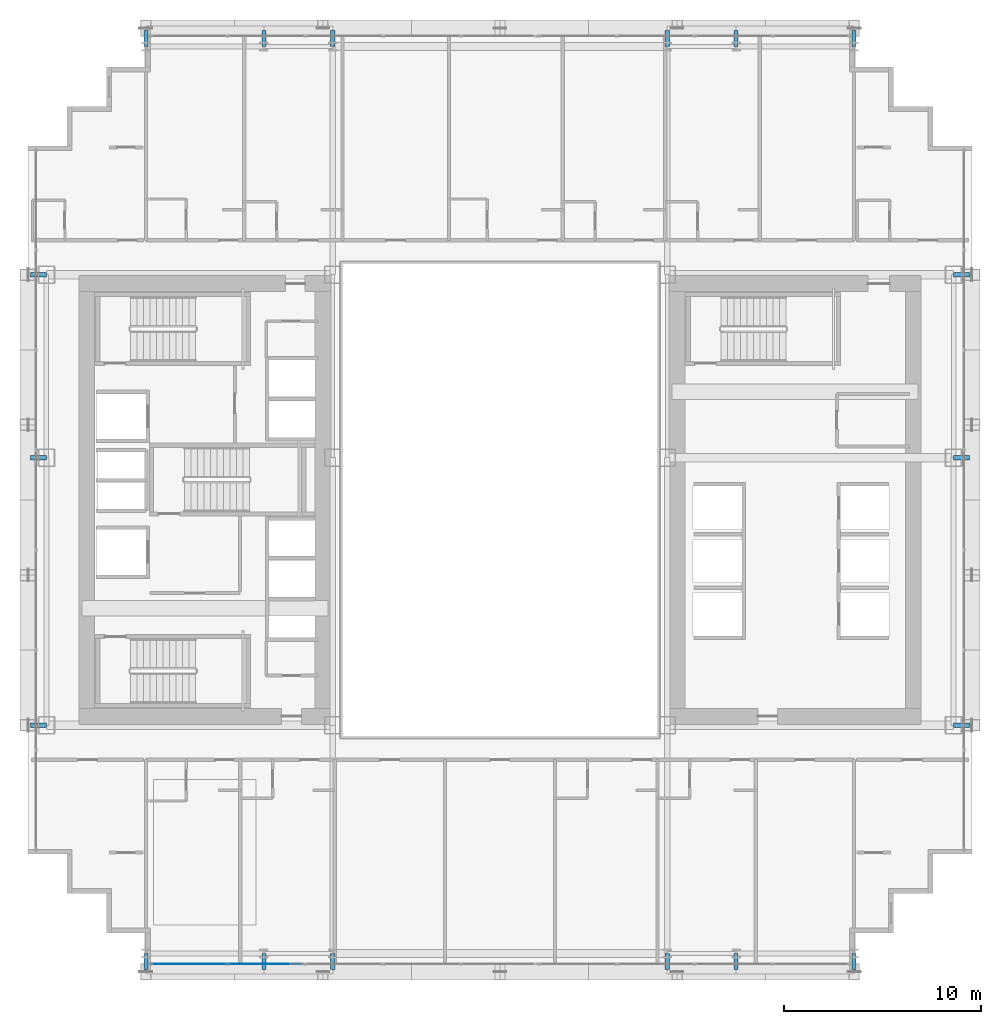
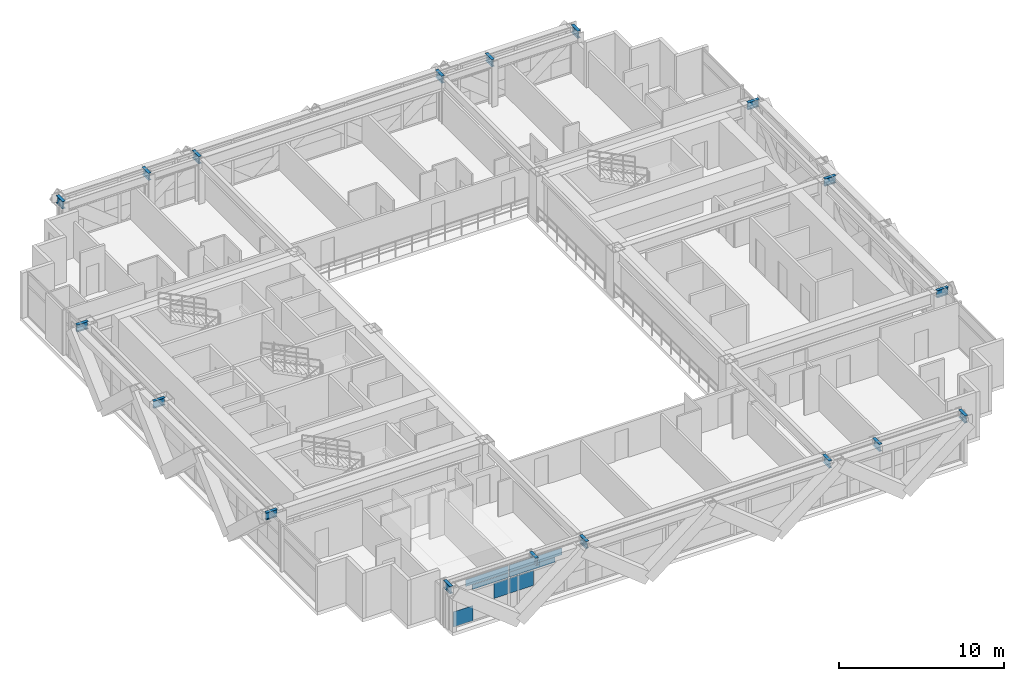
# One storey, part 23 of 38: 18 beams, 7 plates, 1 element without a shape of its own.
"""IFC4 building model written with IfcOpenShell, lengths in metres."""

from ifc_helpers import new_model, si_unit, direction, frame, origin, origin_2d, place, context, subcontext, project, spatial, rectangle, i_section, extrude, source, transform, mapped, material, layer, layer_set, material_profile, profile_set, type_object, element, aggregate, save


model = new_model("IFC4")

# Units and contexts
model_context = context("Model", 3, precision=1e-05, world=origin(), true_north=direction((0.0, 1.0)))
body_context = subcontext(model_context, "Body", "Model", "MODEL_VIEW")
ifc_project = project(units=[si_unit("LENGTHUNIT", "METRE"), si_unit("AREAUNIT", "SQUARE_METRE"), si_unit("VOLUMEUNIT", "CUBIC_METRE"), si_unit("PLANEANGLEUNIT", "RADIAN"), si_unit("MASSUNIT", "GRAM", prefix="KILO")], contexts=[model_context])

# Site, building, storey
site_placement = place(None, origin())
site = spatial("IfcSite", under=ifc_project, at=site_placement, CompositionType="ELEMENT")
building_placement = place(site_placement, origin())
building = spatial("IfcBuilding", under=site, at=building_placement, Name="Ocotamira Hotel", CompositionType="ELEMENT")
storey_placement = place(building_placement, frame((0.0, 0.0, 74.39990234375)))
storey = spatial("IfcBuildingStorey", under=building, at=storey_placement, Name="L18", CompositionType="ELEMENT", Elevation=74.39990234375)

# Beams
ifc_material_1 = material(Name="Steel ASTM A992 Grade 50", Category="steel")
ifc_material_profile = material_profile(ifc_material_1, i_section(OverallWidth=0.2099609375, OverallDepth=0.537109375, WebThickness=0.010986328125, FlangeThickness=0.017333984375, FilletRadius=0.012939453125, at=origin_2d()), Name="W21X68")
ifc_profile_set = profile_set([ifc_material_profile], Name="Steel ASTM A992 Grade 50")
beam_type = type_object("IfcBeamType", Name="BM-SEC-W21X68", PredefinedType="JOIST", material=ifc_profile_set)
shared_shape_1 = source(origin(), body_context, "Body", "SweptSolid", [
    extrude(i_section(OverallWidth=0.2099609375, OverallDepth=0.537109375, WebThickness=0.010986328125, FlangeThickness=0.017333984375, FilletRadius=0.012939453125, at=origin_2d()), origin(), (0.0, 0.0, 1.0), 0.800048828125),
])
for number, where, z_axis, x_axis, name in (
    (1, (14.0, 2.949951171875, 3.08154296875), (0.0, -1.0, 0.0), (1.0, 0.0, 0.0), "L18 South Edge Header X14"),
    (2, (14.0, 49.050048828125, 3.08154296875), (0.0, 1.0, 0.0), (-1.0, 0.0, 0.0), "L18 North Edge Header X14"),
    (3, (20.0, 2.949951171875, 3.08154296875), (0.0, -1.0, 0.0), (1.0, 0.0, 0.0), "L18 South Edge Header X20"),
    (4, (20.0, 49.050048828125, 3.08154296875), (0.0, 1.0, 0.0), (-1.0, 0.0, 0.0), "L18 North Edge Header X20"),
    (5, (23.5, 2.949951171875, 3.08154296875), (0.0, -1.0, 0.0), (1.0, 0.0, 0.0), "L18 South Edge Header X23.5"),
    (6, (23.5, 49.050048828125, 3.08154296875), (0.0, 1.0, 0.0), (-1.0, 0.0, 0.0), "L18 North Edge Header X23.5"),
    (7, (40.5, 2.949951171875, 3.08154296875), (0.0, -1.0, 0.0), (1.0, 0.0, 0.0), "L18 South Edge Header X40.5"),
    (8, (40.5, 49.050048828125, 3.08154296875), (0.0, 1.0, 0.0), (-1.0, 0.0, 0.0), "L18 North Edge Header X40.5"),
    (9, (44.0, 2.949951171875, 3.08154296875), (0.0, -1.0, 0.0), (1.0, 0.0, 0.0), "L18 South Edge Header X44"),
    (10, (44.0, 49.050048828125, 3.08154296875), (0.0, 1.0, 0.0), (-1.0, 0.0, 0.0), "L18 North Edge Header X44"),
    (11, (50.0, 2.949951171875, 3.08154296875), (0.0, -1.0, 0.0), (1.0, 0.0, 0.0), "L18 South Edge Header X50"),
    (12, (50.0, 49.050048828125, 3.08154296875), (0.0, 1.0, 0.0), (-1.0, 0.0, 0.0), "L18 North Edge Header X50"),
    (13, (8.949951171875, 14.550048828125, 3.08154296875), (-1.0, 0.0, 0.0), (0.0, -1.0, 0.0), "L18 West Edge Header Y14.55"),
    (14, (55.050048828125, 14.550048828125, 3.08154296875), (1.0, 0.0, 0.0), (0.0, 1.0, 0.0), "L18 East Edge Header Y14.55"),
    (15, (8.949951171875, 28.14990234375, 3.08154296875), (-1.0, 0.0, 0.0), (0.0, -1.0, 0.0), "L18 West Edge Header Y28.15"),
    (16, (55.050048828125, 28.14990234375, 3.08154296875), (1.0, 0.0, 0.0), (0.0, 1.0, 0.0), "L18 East Edge Header Y28.15"),
    (17, (8.949951171875, 37.449951171875, 3.08154296875), (-1.0, 0.0, 0.0), (0.0, -1.0, 0.0), "L18 West Edge Header Y37.45"),
    (18, (55.050048828125, 37.449951171875, 3.08154296875), (1.0, 0.0, 0.0), (0.0, 1.0, 0.0), "L18 East Edge Header Y37.45"),
):
    element("IfcBeam", number, at=place(storey_placement, frame(where, z_axis=z_axis, x_axis=x_axis)), inside=storey, type_object=beam_type, Name=name, PredefinedType="JOIST", context=body_context, shape_type="MappedRepresentation", body=[
        mapped(shared_shape_1, transform((0.0, 0.0, 0.0), scale=1.0)),
    ])

# Curtain wall, plates
ifc_material_2 = material(Name="Anodised pale-metal aluminium and solar glass", Category="aluminium")
ifc_layer_1 = layer(ifc_material_2, 0.179931640625)
ifc_layer_set_1 = layer_set([ifc_layer_1], Name="Anodised pale-metal aluminium and solar glass")
curtain_wall_type = type_object("IfcCurtainWallType", Name="CW-SYS2-Z1", PredefinedType="NOTDEFINED", material=ifc_layer_set_1)
curtain_wall_placement = place(storey_placement, origin())
curtain_wall = element("IfcCurtainWall", 19, at=curtain_wall_placement, inside=storey, type_object=curtain_wall_type, Name="L18 Curtain Wall CW-2 CW-L18-S1", PredefinedType="NOTDEFINED")
ifc_material_3 = material(Name="Double-silver low-E insulated solar glass", Category="glass")
ifc_layer_2 = layer(ifc_material_3, 0.031982421875)
ifc_layer_set_2 = layer_set([ifc_layer_2], Name="Double-silver low-E insulated solar glass")
plate_type = type_object("IfcPlateType", Name="CWP-VISION-32", PredefinedType="CURTAIN_PANEL", material=ifc_layer_set_2)
shared_shape_2 = source(origin(), body_context, "Body", "SweptSolid", [
    extrude(rectangle(XDim=2.9755859375, YDim=0.031982421875, at=origin_2d()), origin(), (0.0, 0.0, 1.0), 0.5107421875),
])
plate_1_placement = place(storey_placement, frame((16.627685546875, 2.419921875, 2.764404296875), z_axis=(0.0, 0.0, 1.0), x_axis=(1.0, 0.0, 0.0)))
plate_1 = element("IfcPlate", 20, at=plate_1_placement, type_object=plate_type, Name="CW-2 panel 1.2.1", PredefinedType="CURTAIN_PANEL", context=body_context, shape_type="MappedRepresentation", body=[
    mapped(shared_shape_2, transform((0.0, 0.0, 0.0), scale=1.0)),
])
shared_shape_3 = source(origin(), body_context, "Body", "SweptSolid", [
    extrude(rectangle(XDim=2.504638671875, YDim=0.031982421875, at=origin_2d()), origin(), (0.0, 0.0, 1.0), 0.345458984375),
])
plate_2_placement = place(storey_placement, frame((16.86328125, 2.419921875, 2.3876953125), z_axis=(0.0, 0.0, 1.0), x_axis=(1.0, 0.0, 0.0)))
plate_2 = element("IfcPlate", 21, at=plate_2_placement, type_object=plate_type, Name="CW-2 panel 1.2.2", PredefinedType="CURTAIN_PANEL", context=body_context, shape_type="MappedRepresentation", body=[
    mapped(shared_shape_3, transform((0.0, 0.0, 0.0), scale=1.0)),
])
shared_shape_4 = source(origin(), body_context, "Body", "SweptSolid", [
    extrude(rectangle(XDim=3.193603515625, YDim=0.031982421875, at=origin_2d()), origin(), (0.0, 0.0, 1.0), 0.376708984375),
])
plate_3_placement = place(storey_placement, frame((19.792236328125, 2.419921875, 2.3876953125), z_axis=(0.0, 0.0, 1.0), x_axis=(1.0, 0.0, 0.0)))
plate_3 = element("IfcPlate", 22, at=plate_3_placement, type_object=plate_type, Name="CW-2 panel 2.2.1", PredefinedType="CURTAIN_PANEL", context=body_context, shape_type="MappedRepresentation", body=[
    mapped(shared_shape_4, transform((0.0, 0.0, 0.0), scale=1.0)),
])
shared_shape_5 = source(origin(), body_context, "Body", "SweptSolid", [
    extrude(rectangle(XDim=3.664306640625, YDim=0.031982421875, at=origin_2d()), origin(), (0.0, 0.0, 1.0), 0.5107421875),
])
plate_4_placement = place(storey_placement, frame((20.027587890625, 2.419921875, 2.764404296875), z_axis=(0.0, 0.0, 1.0), x_axis=(1.0, 0.0, 0.0)))
plate_4 = element("IfcPlate", 23, at=plate_4_placement, type_object=plate_type, Name="CW-2 panel 2.2.2", PredefinedType="CURTAIN_PANEL", context=body_context, shape_type="MappedRepresentation", body=[
    mapped(shared_shape_5, transform((0.0, 0.0, 0.0), scale=1.0)),
])
shared_shape_6 = source(origin(), body_context, "Body", "SweptSolid", [
    extrude(rectangle(XDim=1.382568359375, YDim=0.031982421875, at=origin_2d()), origin(), (0.0, 0.0, 1.0), 1.118896484375),
])
plate_5_placement = place(storey_placement, frame((14.97119140625, 2.419921875, 0.0751953125), z_axis=(0.0, 0.0, 1.0), x_axis=(1.0, 0.0, 0.0)))
plate_5 = element("IfcPlate", 24, at=plate_5_placement, type_object=plate_type, Name="CW-2 panel 1.1.1", PredefinedType="CURTAIN_PANEL", context=body_context, shape_type="MappedRepresentation", body=[
    mapped(shared_shape_6, transform((0.0, 0.0, 0.0), scale=1.0)),
])
shared_shape_7 = source(origin(), body_context, "Body", "SweptSolid", [
    extrude(rectangle(XDim=1.012451171875, YDim=0.031982421875, at=origin_2d()), origin(), (0.0, 0.0, 1.0), 1.118896484375),
])
plate_6_placement = place(storey_placement, frame((17.609375, 2.419921875, 1.19384765625), z_axis=(0.0, 0.0, 1.0), x_axis=(1.0, 0.0, 0.0)))
plate_6 = element("IfcPlate", 25, at=plate_6_placement, type_object=plate_type, Name="CW-2 panel 1.1.2", PredefinedType="CURTAIN_PANEL", context=body_context, shape_type="MappedRepresentation", body=[
    mapped(shared_shape_7, transform((0.0, 0.0, 0.0), scale=1.0)),
])
shared_shape_8 = source(origin(), body_context, "Body", "SweptSolid", [
    extrude(rectangle(XDim=1.701416015625, YDim=0.031982421875, at=origin_2d()), origin(), (0.0, 0.0, 1.0), 1.118896484375),
])
plate_7_placement = place(storey_placement, frame((19.046142578125, 2.419921875, 1.19384765625), z_axis=(0.0, 0.0, 1.0), x_axis=(1.0, 0.0, 0.0)))
plate_7 = element("IfcPlate", 26, at=plate_7_placement, type_object=plate_type, Name="CW-2 panel 2.1.1", PredefinedType="CURTAIN_PANEL", context=body_context, shape_type="MappedRepresentation", body=[
    mapped(shared_shape_8, transform((0.0, 0.0, 0.0), scale=1.0)),
])
aggregate(curtain_wall, [plate_5, plate_6, plate_1, plate_2, plate_7, plate_3, plate_4])

save(model, "model.ifc")
